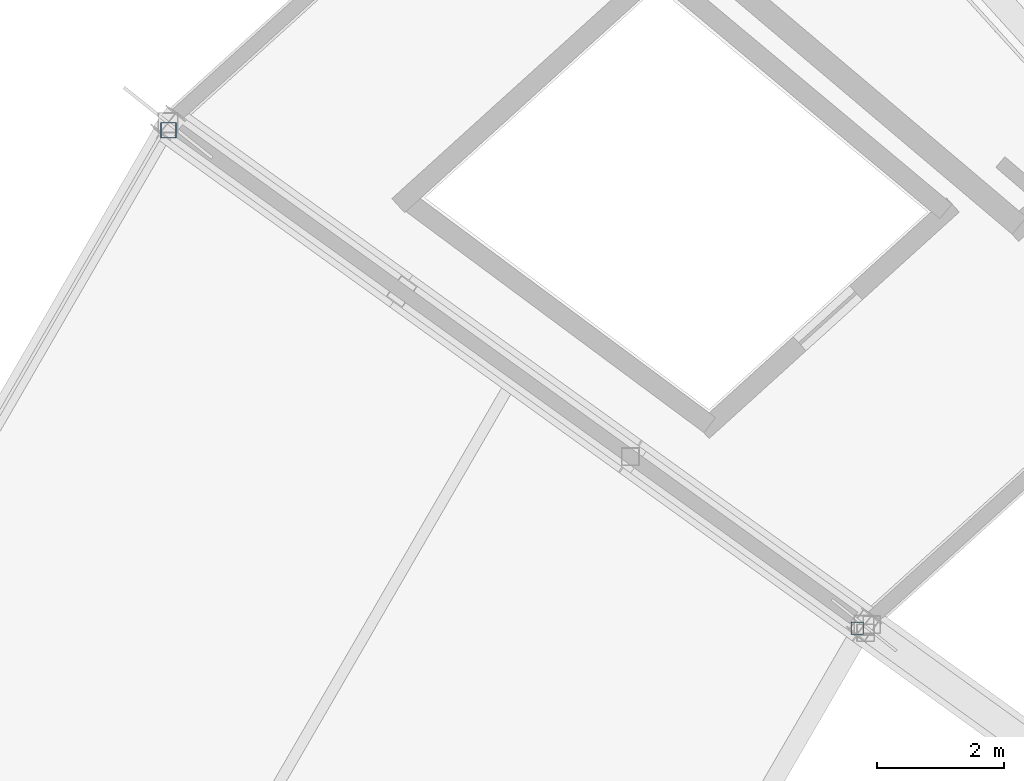
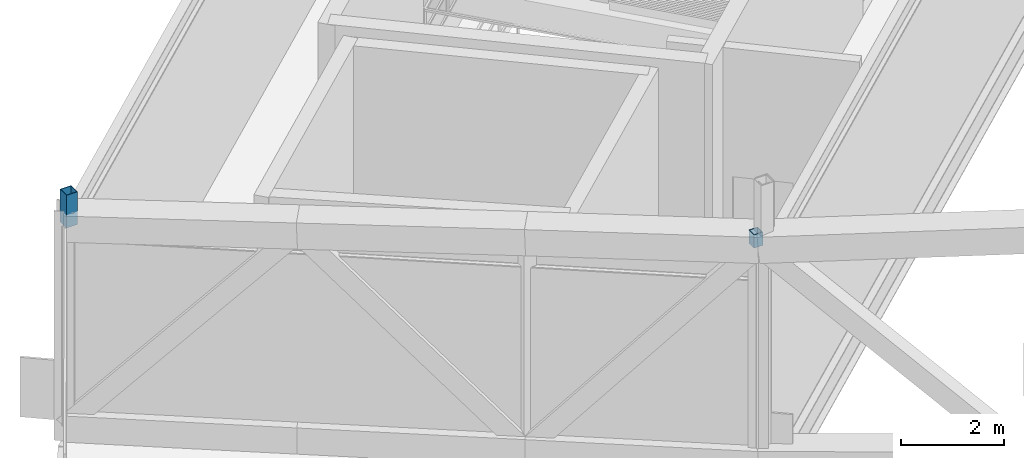
# One storey, part 125 of 162: 2 members.
"""IFC4 building model written with IfcOpenShell, lengths in metres."""

from ifc_helpers import new_model, si_unit, direction, frame, origin, origin_2d, place, context, subcontext, project, spatial, hollow_rectangle, extrude, material, material_profile, profile_set, type_object, element, save


model = new_model("IFC4")

# Units and contexts
model_context = context("Model", 3, precision=1e-05, world=origin(), true_north=direction((0.0, 1.0)))
body_context = subcontext(model_context, "Body", "Model", "MODEL_VIEW")
ifc_project = project(units=[si_unit("LENGTHUNIT", "METRE"), si_unit("AREAUNIT", "SQUARE_METRE"), si_unit("VOLUMEUNIT", "CUBIC_METRE"), si_unit("PLANEANGLEUNIT", "RADIAN"), si_unit("MASSUNIT", "GRAM", prefix="KILO")], contexts=[model_context])

# Site, building, storey
site_placement = place(None, origin())
site = spatial("IfcSite", under=ifc_project, at=site_placement, CompositionType="ELEMENT")
building_placement = place(site_placement, origin())
building = spatial("IfcBuilding", under=site, at=building_placement, Name="Kazemori Nagisa Stadium", CompositionType="ELEMENT")
storey_placement = place(building_placement, frame((0.0, 0.0, 36.719970703125)))
storey = spatial("IfcBuildingStorey", under=building, at=storey_placement, Name="RF", CompositionType="ELEMENT", Elevation=36.719970703125)

# Members
ifc_material = material(Name="Steel STKR490", Category="steel")
ifc_material_profile_1 = material_profile(ifc_material, hollow_rectangle(XDim=0.25, YDim=0.25, WallThickness=0.011962890625, at=origin_2d()), Name="SHS-250x250x12")
ifc_profile_set_1 = profile_set([ifc_material_profile_1], Name="Steel STKR490")
member_type_1 = type_object("IfcMemberType", Name="Member_ST-SHS250", PredefinedType="STUD", material=ifc_profile_set_1)
member_1_placement = place(storey_placement, frame((44.510986328125, 158.5478515625, 5.10009765625), z_axis=(0.0, 0.0, 1.0), x_axis=(1.0, 0.0, 0.0)))
element("IfcMember", 1, at=member_1_placement, inside=storey, type_object=member_type_1, Name="Canopy bearing stool B12-outer-1", PredefinedType="STUD", context=body_context, shape_type="SweptSolid", body=[
    extrude(hollow_rectangle(XDim=0.25, YDim=0.25, WallThickness=0.011962890625, at=origin_2d()), origin(), (0.0, 0.0, 1.0), 0.77490234375),
])
ifc_material_profile_2 = material_profile(ifc_material, hollow_rectangle(XDim=0.199951171875, YDim=0.199951171875, WallThickness=0.009033203125, at=origin_2d()), Name="SHS-200x200x9")
ifc_profile_set_2 = profile_set([ifc_material_profile_2], Name="Steel STKR490")
member_type_2 = type_object("IfcMemberType", Name="Member_TS-SHS200", PredefinedType="STRUT", material=ifc_profile_set_2)
member_2_placement = place(storey_placement, frame((55.383544921875, 150.6875, 5.56005859375), z_axis=(0.0, 0.0, 1.0), x_axis=(1.0, 0.0, 0.0)))
element("IfcMember", 2, at=member_2_placement, inside=storey, type_object=member_type_2, Name="Canopy bearing stool B12-outer-4", PredefinedType="STRUT", context=body_context, shape_type="SweptSolid", body=[
    extrude(hollow_rectangle(XDim=0.199951171875, YDim=0.199951171875, WallThickness=0.009033203125, at=origin_2d()), origin(), (0.0, 0.0, 1.0), 0.31494140625),
])

save(model, "model.ifc")
